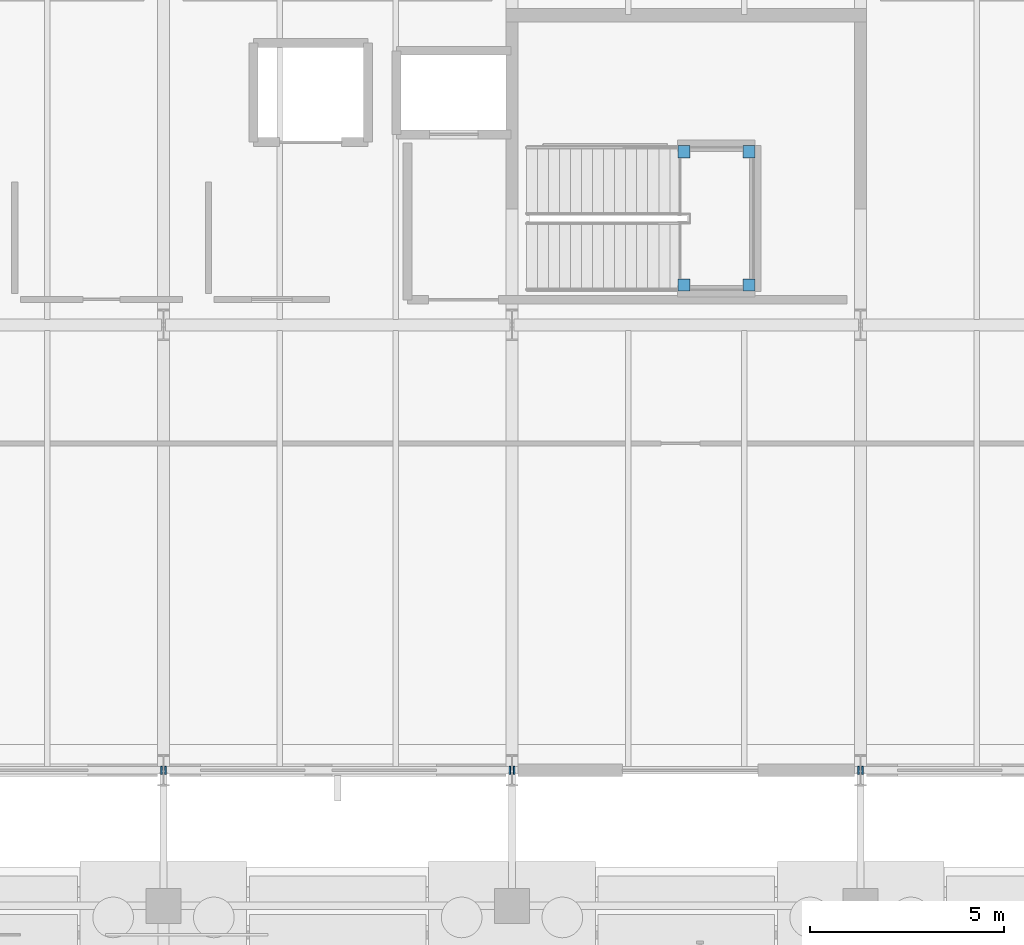
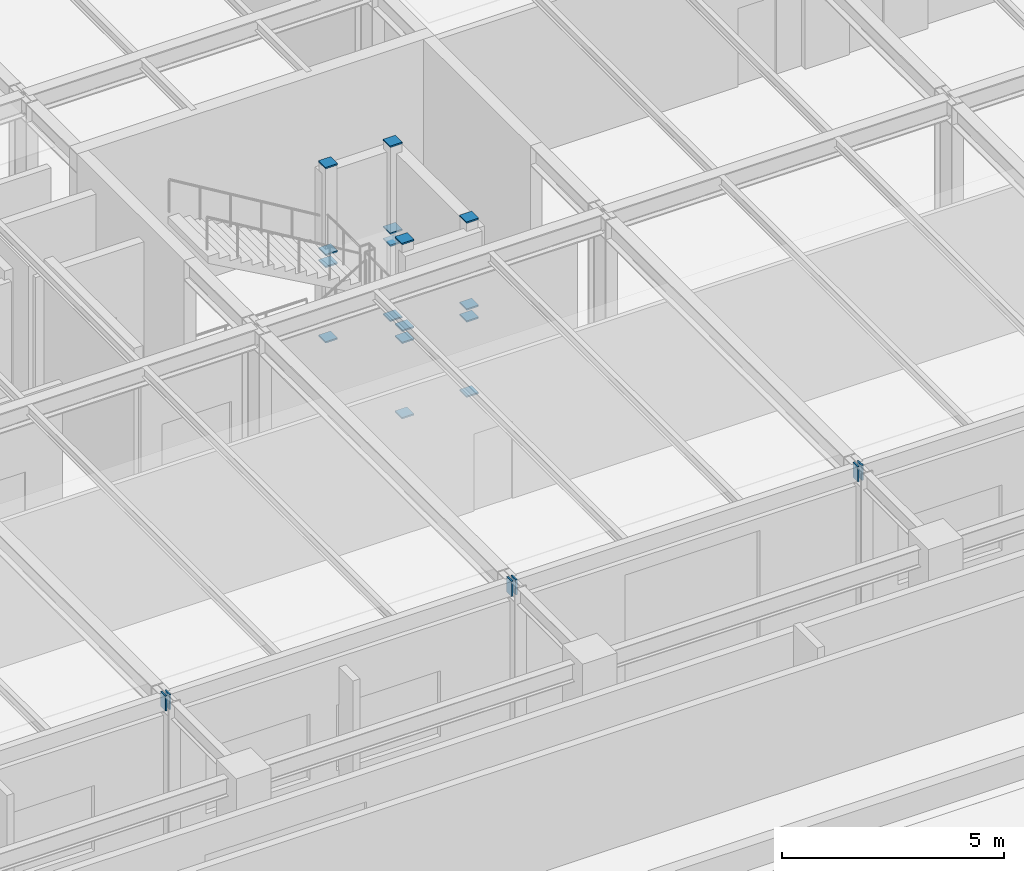
# One storey, part 127 of 160: 22 discrete accessories.
"""IFC4 building model written with IfcOpenShell, lengths in metres."""

from ifc_helpers import new_model, si_unit, direction, frame, origin, origin_2d, place, context, subcontext, project, spatial, rectangle, extrude, material, element, save


model = new_model("IFC4")

# Units and contexts
model_context = context("Model", 3, precision=1e-05, world=origin(), true_north=direction((0.0, 1.0)))
body_context = subcontext(model_context, "Body", "Model", "MODEL_VIEW")
ifc_project = project(units=[si_unit("LENGTHUNIT", "METRE"), si_unit("AREAUNIT", "SQUARE_METRE"), si_unit("VOLUMEUNIT", "CUBIC_METRE"), si_unit("PLANEANGLEUNIT", "RADIAN"), si_unit("MASSUNIT", "GRAM", prefix="KILO")], contexts=[model_context])

# Site, building, storey
site_placement = place(None, origin())
site = spatial("IfcSite", under=ifc_project, at=site_placement, CompositionType="ELEMENT")
building_placement = place(site_placement, origin())
building = spatial("IfcBuilding", under=site, at=building_placement, Name="Marlcrest Central Station", CompositionType="ELEMENT")
storey_placement = place(building_placement, origin())
storey = spatial("IfcBuildingStorey", under=building, at=storey_placement, Name="L00", CompositionType="ELEMENT", Elevation=0.0)

# Discrete accessories
ifc_material = material(Name="Steel S355", Category="steel")
for number, where, z_axis, x_axis, name in (
    (1, (35.925048828125, 99.0, 4.409912109375), (1.0, 0.0, 0.0), (0.0, 1.0, 0.0), "endcap-bm-SP-01-L00-00111-e"),
    (2, (36.03515625, 99.0, 4.409912109375), (1.0, 0.0, 0.0), (0.0, 1.0, 0.0), "endcap-bm-SP-01-L00-00112-s"),
    (3, (44.925048828125, 99.0, 4.409912109375), (1.0, 0.0, 0.0), (0.0, 1.0, 0.0), "endcap-bm-SP-01-L00-00112-e"),
    (4, (45.03515625, 99.0, 4.409912109375), (1.0, 0.0, 0.0), (0.0, 1.0, 0.0), "endcap-bm-SP-01-L00-00113-s"),
    (5, (53.925048828125, 99.0, 4.409912109375), (1.0, 0.0, 0.0), (0.0, 1.0, 0.0), "endcap-bm-SP-01-L00-00113-e"),
    (6, (54.03515625, 99.0, 4.409912109375), (1.0, 0.0, 0.0), (0.0, 1.0, 0.0), "endcap-bm-SP-01-L00-00114-s"),
):
    element("IfcDiscreteAccessory", number, at=place(storey_placement, frame(where, z_axis=z_axis, x_axis=x_axis)), inside=storey, material=ifc_material, Name=name, ObjectType="END_CAP_PLATE", PredefinedType="BRACKET", context=body_context, shape_type="SweptSolid", body=[
        extrude(rectangle(XDim=0.216064453125, YDim=0.416015625, at=origin_2d()), origin(), (0.0, 0.0, 1.0), 0.0400390625),
    ])
for number, where, z_axis, x_axis, name in (
    (7, (49.43994140625, 111.530029296875, -0.014892578125), (0.0, 0.0, 1.0), (1.0, 0.0, 0.0), "endcap-htcol-lo-0045-0-s"),
    (8, (49.43994140625, 111.530029296875, 2.05517578125), (0.0, 0.0, 1.0), (1.0, 0.0, 0.0), "endcap-htcol-lo-0045-0-e"),
    (9, (49.43994140625, 111.530029296875, 2.385009765625), (0.0, 0.0, 1.0), (1.0, 0.0, 0.0), "endcap-htcol-hi-0045-0-s"),
    (10, (49.43994140625, 111.530029296875, 4.775146484375), (0.0, 0.0, 1.0), (1.0, 0.0, 0.0), "endcap-htcol-hi-0045-0-e"),
    (11, (51.1201171875, 111.530029296875, -0.014892578125), (0.0, 0.0, 1.0), (1.0, 0.0, 0.0), "endcap-htcol-lo-0045-1-s"),
    (12, (51.1201171875, 111.530029296875, 2.05517578125), (0.0, 0.0, 1.0), (1.0, 0.0, 0.0), "endcap-htcol-lo-0045-1-e"),
    (13, (51.1201171875, 111.530029296875, 2.385009765625), (0.0, 0.0, 1.0), (1.0, 0.0, 0.0), "endcap-htcol-hi-0045-1-s"),
    (14, (51.1201171875, 111.530029296875, 4.775146484375), (0.0, 0.0, 1.0), (1.0, 0.0, 0.0), "endcap-htcol-hi-0045-1-e"),
    (15, (51.1201171875, 114.969970703125, -0.014892578125), (0.0, 0.0, 1.0), (1.0, 0.0, 0.0), "endcap-htcol-lo-0045-2-s"),
    (16, (51.1201171875, 114.969970703125, 2.05517578125), (0.0, 0.0, 1.0), (1.0, 0.0, 0.0), "endcap-htcol-lo-0045-2-e"),
    (17, (51.1201171875, 114.969970703125, 2.385009765625), (0.0, 0.0, 1.0), (1.0, 0.0, 0.0), "endcap-htcol-hi-0045-2-s"),
    (18, (51.1201171875, 114.969970703125, 4.775146484375), (0.0, 0.0, 1.0), (1.0, 0.0, 0.0), "endcap-htcol-hi-0045-2-e"),
    (19, (49.43994140625, 114.969970703125, -0.014892578125), (0.0, 0.0, 1.0), (1.0, 0.0, 0.0), "endcap-htcol-lo-0045-3-s"),
    (20, (49.43994140625, 114.969970703125, 2.05517578125), (0.0, 0.0, 1.0), (1.0, 0.0, 0.0), "endcap-htcol-lo-0045-3-e"),
    (21, (49.43994140625, 114.969970703125, 2.385009765625), (0.0, 0.0, 1.0), (1.0, 0.0, 0.0), "endcap-htcol-hi-0045-3-s"),
    (22, (49.43994140625, 114.969970703125, 4.775146484375), (0.0, 0.0, 1.0), (1.0, 0.0, 0.0), "endcap-htcol-hi-0045-3-e"),
):
    element("IfcDiscreteAccessory", number, at=place(storey_placement, frame(where, z_axis=z_axis, x_axis=x_axis)), inside=storey, material=ifc_material, Name=name, ObjectType="END_CAP_PLATE", PredefinedType="BRACKET", context=body_context, shape_type="SweptSolid", body=[
        extrude(rectangle(XDim=0.31591796875, YDim=0.31591796875, at=origin_2d()), origin(), (0.0, 0.0, 1.0), 0.0400390625),
    ])

save(model, "model.ifc")
